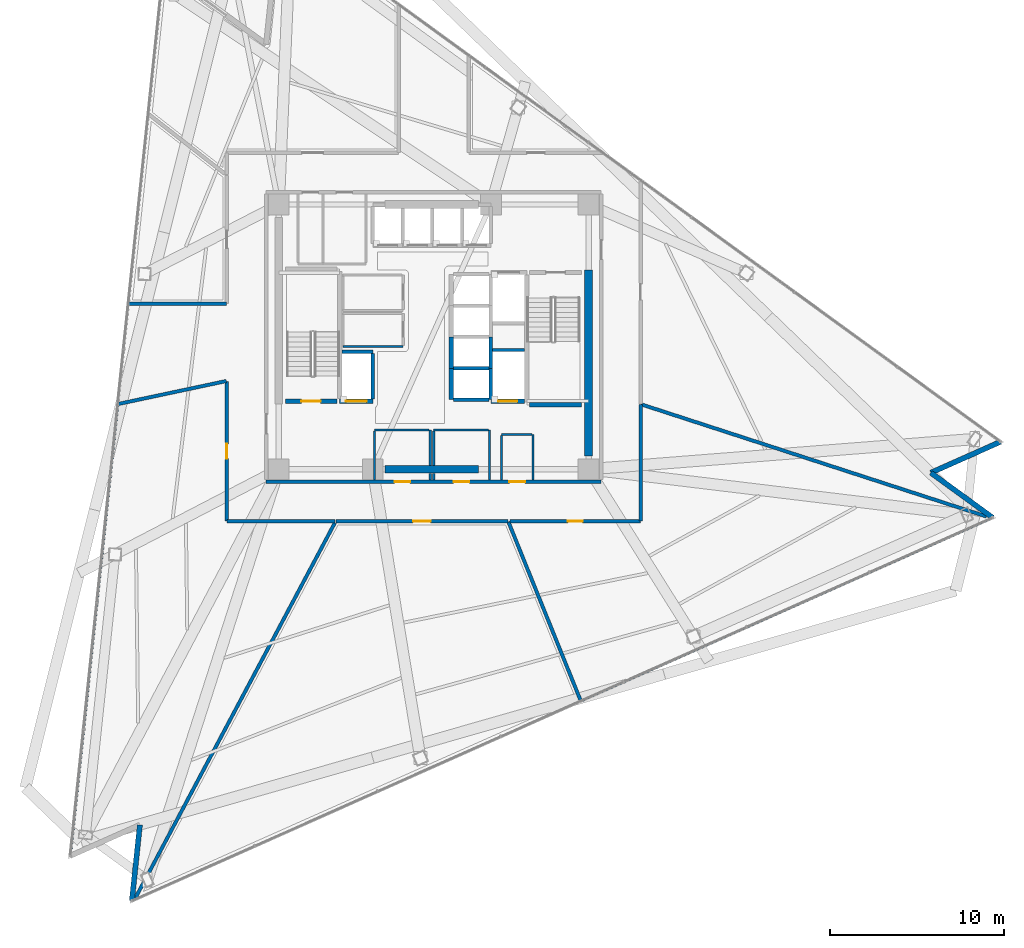
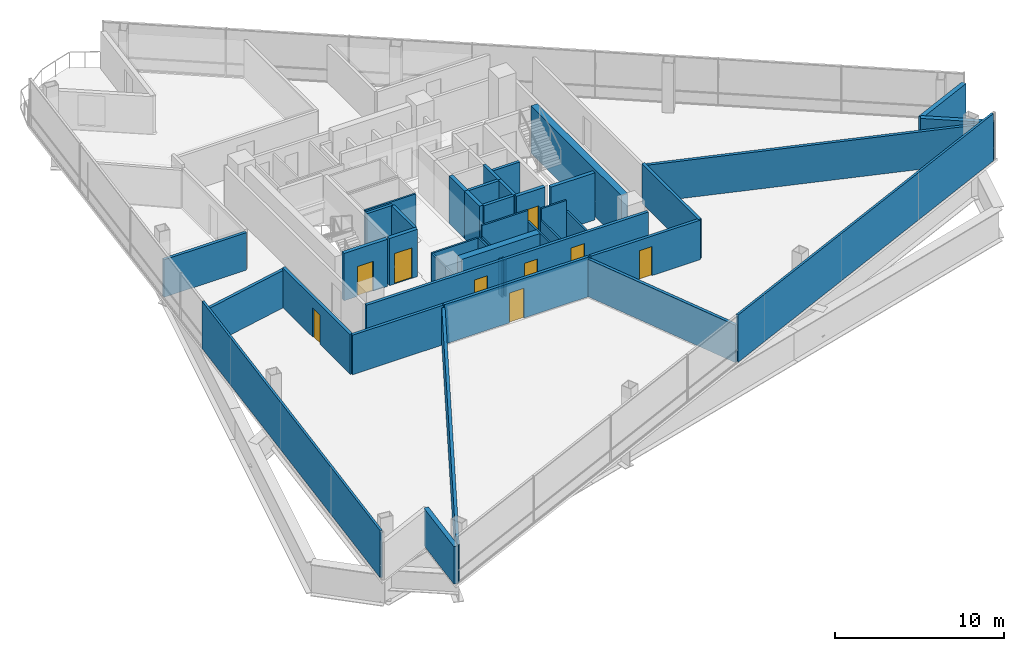
# One storey, part 11 of 17: 43 walls, 9 doors, 9 openings.
"""IFC4 building model written with IfcOpenShell, lengths in metres."""

from ifc_helpers import new_model, si_unit, direction, frame, frame_2d, origin, place, context, subcontext, project, spatial, rectangle, extrude, material, layer, layer_set, type_object, element, fill, save


model = new_model("IFC4")

# Units and contexts
model_context = context("Model", 3, precision=1e-05, world=origin(), true_north=direction((0.0, 1.0)))
body_context = subcontext(model_context, "Body", "Model", "MODEL_VIEW")
ifc_project = project(units=[si_unit("LENGTHUNIT", "METRE"), si_unit("AREAUNIT", "SQUARE_METRE"), si_unit("VOLUMEUNIT", "CUBIC_METRE"), si_unit("PLANEANGLEUNIT", "RADIAN"), si_unit("MASSUNIT", "GRAM", prefix="KILO")], contexts=[model_context])

# Site, building, storey
site_placement = place(None, origin())
site = spatial("IfcSite", under=ifc_project, at=site_placement, CompositionType="ELEMENT")
building_placement = place(site_placement, origin())
building = spatial("IfcBuilding", under=site, at=building_placement, Name="Tharavind Bronze Gate", CompositionType="ELEMENT")
storey_placement = place(building_placement, frame((0.0, 0.0, 112.449951171875)))
storey = spatial("IfcBuildingStorey", under=building, at=storey_placement, Name="L28", CompositionType="ELEMENT", Elevation=112.449951171875)

# Walls
ifc_material_1 = material(Name="Concrete C40/50", Category="concrete")
ifc_layer_1 = layer(ifc_material_1, 0.300048828125)
ifc_layer_set_1 = layer_set([ifc_layer_1], Name="Concrete C40/50")
wall_type_1 = type_object("IfcWallType", Name="EXTERIOR SPANDREL WALL 300", PredefinedType="STANDARD", material=ifc_layer_set_1)
for number, where, z_axis, x_axis, name in (
    (1, (-16.87744140625, -28.02978515625, 0.0), (0.0, 0.0, 1.0), (-0.10451359066, -0.99452345843, 0.0), "L28 notch cheek wall 2B"),
    (2, (32.099853515625, -10.3759765625, 0.0), (0.0, 0.0, 1.0), (-0.809018008275, 0.587783856777, 0.0), "L28 notch cheek wall 3A"),
    (3, (28.556396484375, -7.801513671875, 0.0), (0.0, 0.0, 1.0), (0.913542411385, 0.406743485013, 0.0), "L28 notch cheek wall 3B"),
):
    element("IfcWall", number, at=place(storey_placement, frame(where, z_axis=z_axis, x_axis=x_axis)), inside=storey, type_object=wall_type_1, Name=name, PredefinedType="STANDARD", context=body_context, shape_type="SweptSolid", body=[
        extrude(rectangle(XDim=4.3798828125, YDim=0.300048828125, at=frame_2d((2.18994140625, 0.0))), origin(), (0.0, 0.0, 1.0), 2.705078125),
    ])

# Wall, openings, doors
ifc_material_2 = material(Name="Aerated Concrete Block", Category="concrete")
ifc_layer_2 = layer(ifc_material_2, 0.199951171875)
ifc_layer_set_2 = layer_set([ifc_layer_2], Name="Aerated Concrete Block")
wall_type_2 = type_object("IfcWallType", Name="FIRE RATED PARTITION 200", PredefinedType="PARTITIONING", material=ifc_layer_set_2)
wall_1_placement = place(storey_placement, frame((-9.6201171875, -8.320068359375, 0.0), z_axis=(0.0, 0.0, 1.0), x_axis=(1.0, 0.0, 0.0)))
wall_1 = element("IfcWall", 4, at=wall_1_placement, inside=storey, type_object=wall_type_2, Name="L28 south core corridor wall", PredefinedType="PARTITIONING", context=body_context, shape_type="SweptSolid", body=[
    extrude(rectangle(XDim=19.240234375, YDim=0.199951171875, at=frame_2d((9.6201171875, 0.0))), origin(), (0.0, 0.0, 1.0), 2.85498046875),
])
opening_1_placement = place(wall_1_placement, frame((7.3701171875, 0.0, 0.0)))
opening_1 = element("IfcOpeningElement", 5, at=opening_1_placement, cuts=wall_1, Name="Opening ID07", PredefinedType="OPENING", context=body_context, shape_type="SweptSolid", body=[
    extrude(rectangle(XDim=0.89990234375, YDim=2.10009765625, at=frame_2d((0.449951171875, 1.050048828125))), frame((0.0, 0.11009765625, 0.0), z_axis=(0.0, -1.0, 0.0), x_axis=(1.0, 0.0, 0.0)), (0.0, 0.0, 1.0), 0.219951171875),
])
opening_2_placement = place(wall_1_placement, frame((10.77001953125, 0.0, 0.0)))
opening_2 = element("IfcOpeningElement", 6, at=opening_2_placement, cuts=wall_1, Name="Opening ID07", PredefinedType="OPENING", context=body_context, shape_type="SweptSolid", body=[
    extrude(rectangle(XDim=0.89990234375, YDim=2.10009765625, at=frame_2d((0.449951171875, 1.050048828125))), frame((0.0, 0.11009765625, 0.0), z_axis=(0.0, -1.0, 0.0), x_axis=(1.0, 0.0, 0.0)), (0.0, 0.0, 1.0), 0.219951171875),
])
opening_3_placement = place(wall_1_placement, frame((13.969970703125, 0.0, 0.0)))
opening_3 = element("IfcOpeningElement", 7, at=opening_3_placement, cuts=wall_1, Name="Opening ID07", PredefinedType="OPENING", context=body_context, shape_type="SweptSolid", body=[
    extrude(rectangle(XDim=0.89990234375, YDim=2.10009765625, at=frame_2d((0.449951171875, 1.050048828125))), frame((0.0, 0.11009765625, 0.0), z_axis=(0.0, -1.0, 0.0), x_axis=(1.0, 0.0, 0.0)), (0.0, 0.0, 1.0), 0.219951171875),
])
ifc_material_3 = material(Name="Galvanised Fire Steel", Category="steel")
door_type_1 = type_object("IfcDoorType", Name="PLANT AND RISER FIRE DOOR 900X2100", OperationType="SINGLE_SWING_LEFT", PredefinedType="DOOR", material=ifc_material_3)
door_1_placement = place(opening_1_placement, frame((0.89990234375, 0.0, 0.0), z_axis=(0.0, 0.0, 1.0), x_axis=(-1.0, 0.0, 0.0)))
door_1 = element("IfcDoor", 8, at=door_1_placement, inside=storey, type_object=door_type_1, Name="L28 Core Archive Store fire door", OperationType="SINGLE_SWING_LEFT", OverallHeight=2.10009765625, OverallWidth=0.89990234375, PredefinedType="DOOR", context=body_context, shape_type="SweptSolid", body=[
    extrude(rectangle(XDim=0.89990234375, YDim=2.10009765625, at=frame_2d((0.449951171875, 1.050048828125))), frame((0.0, 0.02490234375, 0.0), z_axis=(0.0, -1.0, 0.0), x_axis=(1.0, 0.0, 0.0)), (0.0, 0.0, 1.0), 0.050048828125),
])
fill(opening_1, door_1)
door_2_placement = place(opening_2_placement, frame((0.89990234375, 0.0, 0.0), z_axis=(0.0, 0.0, 1.0), x_axis=(-1.0, 0.0, 0.0)))
door_2 = element("IfcDoor", 9, at=door_2_placement, inside=storey, type_object=door_type_1, Name="L28 Core Server Room fire door", OperationType="SINGLE_SWING_LEFT", OverallHeight=2.10009765625, OverallWidth=0.89990234375, PredefinedType="DOOR", context=body_context, shape_type="SweptSolid", body=[
    extrude(rectangle(XDim=0.89990234375, YDim=2.10009765625, at=frame_2d((0.449951171875, 1.050048828125))), frame((0.0, 0.02490234375, 0.0), z_axis=(0.0, -1.0, 0.0), x_axis=(1.0, 0.0, 0.0)), (0.0, 0.0, 1.0), 0.050048828125),
])
fill(opening_2, door_2)
door_3_placement = place(opening_3_placement, frame((0.89990234375, 0.0, 0.0), z_axis=(0.0, 0.0, 1.0), x_axis=(-1.0, 0.0, 0.0)))
door_3 = element("IfcDoor", 10, at=door_3_placement, inside=storey, type_object=door_type_1, Name="L28 Janitor Store Cupboard fire door", OperationType="SINGLE_SWING_LEFT", OverallHeight=2.10009765625, OverallWidth=0.89990234375, PredefinedType="DOOR", context=body_context, shape_type="SweptSolid", body=[
    extrude(rectangle(XDim=0.89990234375, YDim=2.10009765625, at=frame_2d((0.449951171875, 1.050048828125))), frame((0.0, 0.02490234375, 0.0), z_axis=(0.0, -1.0, 0.0), x_axis=(1.0, 0.0, 0.0)), (0.0, 0.0, 1.0), 0.050048828125),
])
fill(opening_3, door_3)

# Wall
wall_2_placement = place(storey_placement, frame((-18.13330078125, -3.854248046875, 0.0), z_axis=(0.0, 0.0, 1.0), x_axis=(0.978148121703, 0.207909239835, 0.0)))
element("IfcWall", 11, at=wall_2_placement, inside=storey, type_object=wall_type_2, Name="L28 Public Restrooms Block partition", PredefinedType="PARTITIONING", context=body_context, shape_type="SweptSolid", body=[
    extrude(rectangle(XDim=6.362060546875, YDim=0.199951171875, at=frame_2d((3.18115234375, 0.0))), origin(), (0.0, 0.0, 1.0), 2.705078125),
])

# Wall, opening, door
wall_3_placement = place(storey_placement, frame((-11.8798828125, -2.555908203125, 0.0), z_axis=(0.0, 0.0, 1.0), x_axis=(0.0, -1.0, 0.0)))
wall_3 = element("IfcWall", 12, at=wall_3_placement, inside=storey, type_object=wall_type_2, Name="L28 Public Restrooms Block partition", PredefinedType="PARTITIONING", context=body_context, shape_type="SweptSolid", body=[
    extrude(rectangle(XDim=8.0234375, YDim=0.199951171875, at=frame_2d((4.01171875, 0.0))), origin(), (0.0, 0.0, 1.0), 2.85498046875),
])
opening_4_placement = place(wall_3_placement, frame((3.5869140625, 0.0, 0.0)))
opening_4 = element("IfcOpeningElement", 13, at=opening_4_placement, cuts=wall_3, Name="Opening ID06", PredefinedType="OPENING", context=body_context, shape_type="SweptSolid", body=[
    extrude(rectangle(XDim=0.85009765625, YDim=2.10009765625, at=frame_2d((0.425048828125, 1.050048828125))), frame((0.0, 0.11009765625, 0.0), z_axis=(0.0, -1.0, 0.0), x_axis=(1.0, 0.0, 0.0)), (0.0, 0.0, 1.0), 0.219951171875),
])
ifc_material_4 = material(Name="Moisture-Resistant Timber", Category="wood")
door_type_2 = type_object("IfcDoorType", Name="BATHROOM PRIVACY DOOR 850X2100", OperationType="SINGLE_SWING_RIGHT", PredefinedType="DOOR", material=ifc_material_4)
door_4_placement = place(opening_4_placement, origin())
door_4 = element("IfcDoor", 14, at=door_4_placement, inside=storey, type_object=door_type_2, Name="L28 Public Restrooms Block door", OperationType="SINGLE_SWING_RIGHT", OverallHeight=2.10009765625, OverallWidth=0.85009765625, PredefinedType="DOOR", context=body_context, shape_type="SweptSolid", body=[
    extrude(rectangle(XDim=0.85009765625, YDim=2.10009765625, at=frame_2d((0.425048828125, 1.050048828125))), frame((0.0, 0.02490234375, 0.0), z_axis=(0.0, -1.0, 0.0), x_axis=(1.0, 0.0, 0.0)), (0.0, 0.0, 1.0), 0.050048828125),
])
fill(opening_4, door_4)

# Walls
wall_4_placement = place(storey_placement, frame((-11.87939453125, -10.580078125, 0.0), z_axis=(0.0, 0.0, 1.0), x_axis=(1.0, 0.0, 0.0)))
element("IfcWall", 15, at=wall_4_placement, inside=storey, type_object=wall_type_2, Name="L28 Public Restrooms Block partition", PredefinedType="PARTITIONING", context=body_context, shape_type="SweptSolid", body=[
    extrude(rectangle(XDim=6.21240234375, YDim=0.199951171875, at=frame_2d((3.106201171875, 0.0))), origin(), (0.0, 0.0, 1.0), 2.85498046875),
])
wall_5_placement = place(storey_placement, frame((-5.681396484375, -10.68505859375, 0.0), z_axis=(0.0, 0.0, 1.0), x_axis=(-0.469469841629, -0.882948508012, 0.0)))
element("IfcWall", 16, at=wall_5_placement, inside=storey, type_object=wall_type_2, Name="L28 Public Restrooms Block partition", PredefinedType="PARTITIONING", context=body_context, shape_type="SweptSolid", body=[
    extrude(rectangle(XDim=24.47021484375, YDim=0.199951171875, at=frame_2d((12.235107421875, 0.0))), origin(), (0.0, 0.0, 1.0), 2.705078125),
])
wall_6_placement = place(storey_placement, frame((8.437255859375, -20.8828125, 0.0), z_axis=(0.0, 0.0, 1.0), x_axis=(-0.374607748829, 0.927183387749, 0.0)))
element("IfcWall", 17, at=wall_6_placement, inside=storey, type_object=wall_type_2, Name="L28 Public Restrooms Block partition", PredefinedType="PARTITIONING", context=body_context, shape_type="SweptSolid", body=[
    extrude(rectangle(XDim=11.07470703125, YDim=0.199951171875, at=frame_2d((5.537353515625, 0.0))), origin(), (0.0, 0.0, 1.0), 2.705078125),
])

# Wall, opening, door
wall_7_placement = place(storey_placement, frame((4.3876953125, -10.580078125, 0.0), z_axis=(0.0, 0.0, 1.0), x_axis=(1.0, 0.0, 0.0)))
wall_7 = element("IfcWall", 18, at=wall_7_placement, inside=storey, type_object=wall_type_2, Name="L28 Public Restrooms Block partition", PredefinedType="PARTITIONING", context=body_context, shape_type="SweptSolid", body=[
    extrude(rectangle(XDim=7.49169921875, YDim=0.199951171875, at=frame_2d((3.745849609375, 0.0))), origin(), (0.0, 0.0, 1.0), 2.85498046875),
])
opening_5_placement = place(wall_7_placement, frame((3.321044921875, 0.0, 0.0)))
opening_5 = element("IfcOpeningElement", 19, at=opening_5_placement, cuts=wall_7, Name="Opening ID06", PredefinedType="OPENING", context=body_context, shape_type="SweptSolid", body=[
    extrude(rectangle(XDim=0.85009765625, YDim=2.10009765625, at=frame_2d((0.425048828125, 1.050048828125))), frame((0.0, 0.11009765625, 0.0), z_axis=(0.0, -1.0, 0.0), x_axis=(1.0, 0.0, 0.0)), (0.0, 0.0, 1.0), 0.219951171875),
])
door_5_placement = place(opening_5_placement, origin())
door_5 = element("IfcDoor", 20, at=door_5_placement, inside=storey, type_object=door_type_2, Name="L28 Public Restrooms Block door", OperationType="SINGLE_SWING_RIGHT", OverallHeight=2.10009765625, OverallWidth=0.85009765625, PredefinedType="DOOR", context=body_context, shape_type="SweptSolid", body=[
    extrude(rectangle(XDim=0.85009765625, YDim=2.10009765625, at=frame_2d((0.425048828125, 1.050048828125))), frame((0.0, 0.02490234375, 0.0), z_axis=(0.0, -1.0, 0.0), x_axis=(1.0, 0.0, 0.0)), (0.0, 0.0, 1.0), 0.050048828125),
])
fill(opening_5, door_5)

# Walls
wall_8_placement = place(storey_placement, frame((11.8798828125, -10.579345703125, 0.0), z_axis=(0.0, 0.0, 1.0), x_axis=(0.0, 1.0, 0.0)))
element("IfcWall", 21, at=wall_8_placement, inside=storey, type_object=wall_type_2, Name="L28 Public Restrooms Block partition", PredefinedType="PARTITIONING", context=body_context, shape_type="SweptSolid", body=[
    extrude(rectangle(XDim=6.684814453125, YDim=0.199951171875, at=frame_2d((3.34228515625, 0.0))), origin(), (0.0, 0.0, 1.0), 2.85498046875),
])
wall_9_placement = place(storey_placement, frame((11.91259765625, -3.87060546875, 0.0), z_axis=(0.0, 0.0, 1.0), x_axis=(0.951054616976, -0.309022839818, 0.0)))
element("IfcWall", 22, at=wall_9_placement, inside=storey, type_object=wall_type_2, Name="L28 Public Restrooms Block partition", PredefinedType="PARTITIONING", context=body_context, shape_type="SweptSolid", body=[
    extrude(rectangle(XDim=20.86572265625, YDim=0.199951171875, at=frame_2d((10.432861328125, 0.0))), origin(), (0.0, 0.0, 1.0), 2.705078125),
])
wall_10_placement = place(storey_placement, frame((-11.905029296875, 1.89990234375, 0.0), z_axis=(0.0, 0.0, 1.0), x_axis=(-1.0, 0.0, 0.0)))
element("IfcWall", 23, at=wall_10_placement, inside=storey, type_object=wall_type_2, Name="L28 Acoustic Focus Office partition", PredefinedType="PARTITIONING", context=body_context, shape_type="SweptSolid", body=[
    extrude(rectangle(XDim=5.640869140625, YDim=0.199951171875, at=frame_2d((2.8203125, 0.0))), origin(), (0.0, 0.0, 1.0), 2.705078125),
])

# Wall, opening, door
wall_11_placement = place(storey_placement, frame((-5.610595703125, -10.580078125, 0.0), z_axis=(0.0, 0.0, 1.0), x_axis=(1.0, 0.0, 0.0)))
wall_11 = element("IfcWall", 24, at=wall_11_placement, inside=storey, type_object=wall_type_2, Name="L28 Creative Open Office partition", PredefinedType="PARTITIONING", context=body_context, shape_type="SweptSolid", body=[
    extrude(rectangle(XDim=9.868408203125, YDim=0.199951171875, at=frame_2d((4.93408203125, 0.0))), origin(), (0.0, 0.0, 1.0), 2.85498046875),
])
opening_6_placement = place(wall_11_placement, frame((4.43408203125, 0.0, 0.0)))
opening_6 = element("IfcOpeningElement", 25, at=opening_6_placement, cuts=wall_11, Name="Opening ID04", PredefinedType="OPENING", context=body_context, shape_type="SweptSolid", body=[
    extrude(rectangle(XDim=1.0, YDim=2.14990234375, at=frame_2d((0.5, 1.074951171875))), frame((0.0, 0.11009765625, 0.0), z_axis=(0.0, -1.0, 0.0), x_axis=(1.0, 0.0, 0.0)), (0.0, 0.0, 1.0), 0.219951171875),
])
ifc_material_5 = material(Name="Bronze Framed Acoustic Timber", Category="wood")
door_type_3 = type_object("IfcDoorType", Name="OFFICE TENANCY DOOR 1000X2150", OperationType="SINGLE_SWING_RIGHT", PredefinedType="DOOR", material=ifc_material_5)
door_6_placement = place(opening_6_placement, origin())
door_6 = element("IfcDoor", 26, at=door_6_placement, inside=storey, type_object=door_type_3, Name="L28 Creative Open Office door", OperationType="SINGLE_SWING_RIGHT", OverallHeight=2.14990234375, OverallWidth=1.0, PredefinedType="DOOR", context=body_context, shape_type="SweptSolid", body=[
    extrude(rectangle(XDim=1.0, YDim=2.14990234375, at=frame_2d((0.5, 1.074951171875))), frame((0.0, 0.02490234375, 0.0), z_axis=(0.0, -1.0, 0.0), x_axis=(1.0, 0.0, 0.0)), (0.0, 0.0, 1.0), 0.050048828125),
])
fill(opening_6, door_6)

# Walls
ifc_material_6 = material(Name="Metal Stud Gypsum Partition", Category="gypsum")
ifc_layer_3 = layer(ifc_material_6, 0.1201171875)
ifc_layer_set_3 = layer_set([ifc_layer_3], Name="Metal Stud Gypsum Partition")
wall_type_3 = type_object("IfcWallType", Name="INTERIOR PARTITION WALL 120", PredefinedType="PARTITIONING", material=ifc_layer_set_3)
wall_12_placement = place(storey_placement, frame((-5.219970703125, -0.550048828125, 0.0), z_axis=(0.0, 0.0, 1.0), x_axis=(1.0, 0.0, 0.0)))
element("IfcWall", 27, at=wall_12_placement, inside=storey, type_object=wall_type_3, Name="L28 Electrical Switch Room partition 1", PredefinedType="PARTITIONING", context=body_context, shape_type="SweptSolid", body=[
    extrude(rectangle(XDim=3.469970703125, YDim=0.1201171875, at=frame_2d((1.73486328125, 0.0))), origin(), (0.0, 0.0, 1.0), 3.41015625),
])
wall_13_placement = place(storey_placement, frame((-0.199951171875, -8.215087890625, 0.0), z_axis=(0.0, 0.0, 1.0), x_axis=(0.0, 1.0, 0.0)))
element("IfcWall", 28, at=wall_13_placement, inside=storey, type_object=wall_type_3, Name="L28 Core Archive Store partition 2", PredefinedType="PARTITIONING", context=body_context, shape_type="SweptSolid", body=[
    extrude(rectangle(XDim=0.385009765625, YDim=0.1201171875, at=frame_2d((0.1923828125, 0.0))), origin(), (0.0, 0.0, 1.0), 2.60498046875),
])
wall_14_placement = place(storey_placement, frame((-0.199951171875, -7.3701171875, 0.0), z_axis=(0.0, 0.0, 1.0), x_axis=(0.0, 1.0, 0.0)))
element("IfcWall", 29, at=wall_14_placement, inside=storey, type_object=wall_type_3, Name="L28 Core Archive Store partition 2", PredefinedType="PARTITIONING", context=body_context, shape_type="SweptSolid", body=[
    extrude(rectangle(XDim=2.02001953125, YDim=0.1201171875, at=frame_2d((1.010009765625, 0.0))), origin(), (0.0, 0.0, 1.0), 2.60498046875),
])
wall_15_placement = place(storey_placement, frame((-0.264892578125, -5.35009765625, 0.0), z_axis=(0.0, 0.0, 1.0), x_axis=(-1.0, 0.0, 0.0)))
element("IfcWall", 30, at=wall_15_placement, inside=storey, type_object=wall_type_3, Name="L28 Core Archive Store partition 3", PredefinedType="PARTITIONING", context=body_context, shape_type="SweptSolid", body=[
    extrude(rectangle(XDim=3.135009765625, YDim=0.1201171875, at=frame_2d((1.5673828125, 0.0))), origin(), (0.0, 0.0, 1.0), 2.60498046875),
])
wall_16_placement = place(storey_placement, frame((-3.39990234375, -5.4150390625, 0.0), z_axis=(0.0, 0.0, 1.0), x_axis=(0.0, -1.0, 0.0)))
element("IfcWall", 31, at=wall_16_placement, inside=storey, type_object=wall_type_3, Name="L28 Core Archive Store partition 4", PredefinedType="PARTITIONING", context=body_context, shape_type="SweptSolid", body=[
    extrude(rectangle(XDim=2.800048828125, YDim=0.1201171875, at=frame_2d((1.39990234375, 0.0))), origin(), (0.0, 0.0, 1.0), 2.60498046875),
])
wall_17_placement = place(storey_placement, frame((3.199951171875, -8.215087890625, 0.0), z_axis=(0.0, 0.0, 1.0), x_axis=(0.0, 1.0, 0.0)))
element("IfcWall", 32, at=wall_17_placement, inside=storey, type_object=wall_type_3, Name="L28 Core Server Room partition 2", PredefinedType="PARTITIONING", context=body_context, shape_type="SweptSolid", body=[
    extrude(rectangle(XDim=2.864990234375, YDim=0.1201171875, at=frame_2d((1.4326171875, 0.0))), origin(), (0.0, 0.0, 1.0), 2.60498046875),
])
wall_18_placement = place(storey_placement, frame((3.135009765625, -5.35009765625, 0.0), z_axis=(0.0, 0.0, 1.0), x_axis=(-1.0, 0.0, 0.0)))
element("IfcWall", 33, at=wall_18_placement, inside=storey, type_object=wall_type_3, Name="L28 Core Server Room partition 3", PredefinedType="PARTITIONING", context=body_context, shape_type="SweptSolid", body=[
    extrude(rectangle(XDim=3.135009765625, YDim=0.1201171875, at=frame_2d((1.5673828125, 0.0))), origin(), (0.0, 0.0, 1.0), 3.41015625),
])
wall_19_placement = place(storey_placement, frame((0.0, -5.4150390625, 0.0), z_axis=(0.0, 0.0, 1.0), x_axis=(0.0, -1.0, 0.0)))
element("IfcWall", 34, at=wall_19_placement, inside=storey, type_object=wall_type_3, Name="L28 Core Server Room partition 4", PredefinedType="PARTITIONING", context=body_context, shape_type="SweptSolid", body=[
    extrude(rectangle(XDim=1.955078125, YDim=0.1201171875, at=frame_2d((0.9775390625, 0.0))), origin(), (0.0, 0.0, 1.0), 2.60498046875),
])
wall_20_placement = place(storey_placement, frame((0.0, -7.830078125, 0.0), z_axis=(0.0, 0.0, 1.0), x_axis=(0.0, -1.0, 0.0)))
element("IfcWall", 35, at=wall_20_placement, inside=storey, type_object=wall_type_3, Name="L28 Core Server Room partition 4", PredefinedType="PARTITIONING", context=body_context, shape_type="SweptSolid", body=[
    extrude(rectangle(XDim=0.385009765625, YDim=0.1201171875, at=frame_2d((0.1923828125, 0.0))), origin(), (0.0, 0.0, 1.0), 2.60498046875),
])
wall_21_placement = place(storey_placement, frame((5.699951171875, -8.215087890625, 0.0), z_axis=(0.0, 0.0, 1.0), x_axis=(0.0, 1.0, 0.0)))
element("IfcWall", 36, at=wall_21_placement, inside=storey, type_object=wall_type_3, Name="L28 Janitor Store Cupboard partition 2", PredefinedType="PARTITIONING", context=body_context, shape_type="SweptSolid", body=[
    extrude(rectangle(XDim=2.614990234375, YDim=0.1201171875, at=frame_2d((1.3076171875, 0.0))), origin(), (0.0, 0.0, 1.0), 2.60498046875),
])
wall_22_placement = place(storey_placement, frame((5.635009765625, -5.60009765625, 0.0), z_axis=(0.0, 0.0, 1.0), x_axis=(-1.0, 0.0, 0.0)))
element("IfcWall", 37, at=wall_22_placement, inside=storey, type_object=wall_type_3, Name="L28 Janitor Store Cupboard partition 3", PredefinedType="PARTITIONING", context=body_context, shape_type="SweptSolid", body=[
    extrude(rectangle(XDim=1.735107421875, YDim=0.1201171875, at=frame_2d((0.86767578125, 0.0))), origin(), (0.0, 0.0, 1.0), 3.41015625),
])
wall_23_placement = place(storey_placement, frame((3.89990234375, -5.6650390625, 0.0), z_axis=(0.0, 0.0, 1.0), x_axis=(0.0, -1.0, 0.0)))
element("IfcWall", 38, at=wall_23_placement, inside=storey, type_object=wall_type_3, Name="L28 Janitor Store Cupboard partition 4", PredefinedType="PARTITIONING", context=body_context, shape_type="SweptSolid", body=[
    extrude(rectangle(XDim=2.550048828125, YDim=0.1201171875, at=frame_2d((1.27490234375, 0.0))), origin(), (0.0, 0.0, 1.0), 2.60498046875),
])
ifc_material_7 = material(Name="Twin Stud Acoustic Gypsum", Category="gypsum")
ifc_layer_4 = layer(ifc_material_7, 0.14990234375)
ifc_layer_set_4 = layer_set([ifc_layer_4], Name="Twin Stud Acoustic Gypsum")
wall_type_4 = type_object("IfcWallType", Name="INTERIOR PARTITION WALL 150", PredefinedType="PARTITIONING", material=ifc_layer_set_4)
wall_24_placement = place(storey_placement, frame((-20.860107421875, -29.63330078125, 0.0), z_axis=(0.0, 0.0, 1.0), x_axis=(0.104532174784, 0.994521505265, 0.0)))
element("IfcWall", 39, at=wall_24_placement, inside=storey, type_object=wall_type_4, Name="L28 Public Restrooms Block partition", PredefinedType="PARTITIONING", context=body_context, shape_type="SweptSolid", body=[
    extrude(rectangle(XDim=25.89892578125, YDim=0.14990234375, at=frame_2d((12.949462890625, 0.0))), origin(), (0.0, 0.0, 1.0), 3.41015625),
])
wall_25_placement = place(storey_placement, frame((31.936279296875, -10.44873046875, 0.0), z_axis=(0.0, 0.0, 1.0), x_axis=(-0.913546005366, -0.406735412866, 0.0)))
element("IfcWall", 40, at=wall_25_placement, inside=storey, type_object=wall_type_4, Name="L28 Public Restrooms Block partition", PredefinedType="PARTITIONING", context=body_context, shape_type="SweptSolid", body=[
    extrude(rectangle(XDim=25.686279296875, YDim=0.14990234375, at=frame_2d((12.84326171875, 0.0))), origin(), (0.0, 0.0, 1.0), 3.41015625),
])

# Wall, opening, door
ifc_material_8 = material(Name="Concrete C50/60", Category="concrete")
ifc_layer_5 = layer(ifc_material_8, 0.25)
ifc_layer_set_5 = layer_set([ifc_layer_5], Name="Concrete C50/60")
wall_type_5 = type_object("IfcWallType", Name="RC CORE SHEAR WALL 250", PredefinedType="SHEAR", material=ifc_layer_set_5)
wall_26_placement = place(storey_placement, frame((-8.5, -3.699951171875, 0.0), z_axis=(0.0, 0.0, 1.0), x_axis=(1.0, 0.0, 0.0)))
wall_26 = element("IfcWall", 41, at=wall_26_placement, inside=storey, type_object=wall_type_5, Name="L28 ST1 shaft south wall", PredefinedType="SHEAR", context=body_context, shape_type="SweptSolid", body=[
    extrude(rectangle(XDim=2.949951171875, YDim=0.25, at=frame_2d((1.47509765625, 0.0))), origin(), (0.0, 0.0, 1.0), 3.41015625),
])
opening_7_placement = place(wall_26_placement, frame((0.89990234375, 0.0, 0.0)))
opening_7 = element("IfcOpeningElement", 42, at=opening_7_placement, cuts=wall_26, Name="Opening ID01", PredefinedType="OPENING", context=body_context, shape_type="SweptSolid", body=[
    extrude(rectangle(XDim=1.10009765625, YDim=2.14990234375, at=frame_2d((0.550048828125, 1.074951171875))), frame((0.0, 0.135, 0.0), z_axis=(0.0, -1.0, 0.0), x_axis=(1.0, 0.0, 0.0)), (0.0, 0.0, 1.0), 0.27),
])
ifc_material_9 = material(Name="Fire-Rated Steel", Category="steel")
door_type_4 = type_object("IfcDoorType", Name="STAIR CORE FIRE DOOR 1100X2150", OperationType="SINGLE_SWING_LEFT", PredefinedType="DOOR", material=ifc_material_9)
door_7_placement = place(opening_7_placement, origin())
door_7 = element("IfcDoor", 43, at=door_7_placement, inside=storey, type_object=door_type_4, Name="L28 exit stair ST1 fire door", OperationType="SINGLE_SWING_LEFT", OverallHeight=2.14990234375, OverallWidth=1.10009765625, PredefinedType="DOOR", context=body_context, shape_type="SweptSolid", body=[
    extrude(rectangle(XDim=1.10009765625, YDim=2.14990234375, at=frame_2d((0.550048828125, 1.074951171875))), frame((0.0, 0.02490234375, 0.0), z_axis=(0.0, -1.0, 0.0), x_axis=(1.0, 0.0, 0.0)), (0.0, 0.0, 1.0), 0.050048828125),
])
fill(opening_7, door_7)

# Walls
wall_27_placement = place(storey_placement, frame((5.5, -3.89990234375, 0.0), z_axis=(0.0, 0.0, 1.0), x_axis=(1.0, 0.0, 0.0)))
element("IfcWall", 44, at=wall_27_placement, inside=storey, type_object=wall_type_5, Name="L28 ST2 shaft south wall", PredefinedType="SHEAR", context=body_context, shape_type="SweptSolid", body=[
    extrude(rectangle(XDim=3.0, YDim=0.25, at=frame_2d((1.5, 0.0))), origin(), (0.0, 0.0, 1.0), 3.41015625),
])
for number, where, z_axis, x_axis, name in (
    (45, (1.0, -3.60009765625, 0.0), (0.0, 0.0, 1.0), (0.0, 1.0, 0.0), "L28 lift PL9 shaft front wall"),
    (46, (1.0, -1.800048828125, 0.0), (0.0, 0.0, 1.0), (0.0, 1.0, 0.0), "L28 lift PL10 shaft front wall"),
):
    element("IfcWall", number, at=place(storey_placement, frame(where, z_axis=z_axis, x_axis=x_axis)), inside=storey, type_object=wall_type_5, Name=name, PredefinedType="SHEAR", context=body_context, shape_type="SweptSolid", body=[
        extrude(rectangle(XDim=1.800048828125, YDim=0.25, at=frame_2d((0.89990234375, 0.0))), origin(), (0.0, 0.0, 1.0), 3.41015625),
    ])

# Wall, opening, door
wall_28_placement = place(storey_placement, frame((-5.39990234375, -3.699951171875, 0.0), z_axis=(0.0, 0.0, 1.0), x_axis=(1.0, 0.0, 0.0)))
wall_28 = element("IfcWall", 47, at=wall_28_placement, inside=storey, type_object=wall_type_5, Name="L28 lift FFL1 shaft front wall", PredefinedType="SHEAR", context=body_context, shape_type="SweptSolid", body=[
    extrude(rectangle(XDim=1.89990234375, YDim=0.25, at=frame_2d((0.949951171875, 0.0))), origin(), (0.0, 0.0, 1.0), 3.41015625),
])
opening_8_placement = place(wall_28_placement, frame((0.35009765625, 0.0, 0.0)))
opening_8 = element("IfcOpeningElement", 48, at=opening_8_placement, cuts=wall_28, Name="Opening LD02", PredefinedType="OPENING", context=body_context, shape_type="SweptSolid", body=[
    extrude(rectangle(XDim=1.199951171875, YDim=2.199951171875, at=frame_2d((0.60009765625, 1.10009765625))), frame((0.0, 0.135, 0.0), z_axis=(0.0, -1.0, 0.0), x_axis=(1.0, 0.0, 0.0)), (0.0, 0.0, 1.0), 0.27),
])
ifc_material_10 = material(Name="Brushed Stainless Steel", Category="steel")
door_type_5 = type_object("IfcDoorType", Name="FIREFIGHTING LIFT LANDING DOOR 1200X2200", OperationType="SLIDING_TO_RIGHT", PredefinedType="DOOR", material=ifc_material_10)
door_8_placement = place(opening_8_placement, origin())
door_8 = element("IfcDoor", 49, at=door_8_placement, inside=storey, type_object=door_type_5, Name="L28 lift FFL1 sliding landing door", OperationType="SLIDING_TO_RIGHT", OverallHeight=2.199951171875, OverallWidth=1.199951171875, PredefinedType="DOOR", context=body_context, shape_type="SweptSolid", body=[
    extrude(rectangle(XDim=1.199951171875, YDim=2.199951171875, at=frame_2d((0.60009765625, 1.10009765625))), frame((0.0, 0.02490234375, 0.0), z_axis=(0.0, -1.0, 0.0), x_axis=(1.0, 0.0, 0.0)), (0.0, 0.0, 1.0), 0.050048828125),
])
fill(opening_8, door_8)

wall_29_placement = place(storey_placement, frame((3.280029296875, -3.699951171875, 0.0), z_axis=(0.0, 0.0, 1.0), x_axis=(1.0, 0.0, 0.0)))
wall_29 = element("IfcWall", 50, at=wall_29_placement, inside=storey, type_object=wall_type_5, Name="L28 lift SVL1 shaft front wall", PredefinedType="SHEAR", context=body_context, shape_type="SweptSolid", body=[
    extrude(rectangle(XDim=1.93994140625, YDim=0.25, at=frame_2d((0.969970703125, 0.0))), origin(), (0.0, 0.0, 1.0), 3.41015625),
])
opening_9_placement = place(wall_29_placement, frame((0.419921875, 0.0, 0.0)))
opening_9 = element("IfcOpeningElement", 51, at=opening_9_placement, cuts=wall_29, Name="Opening LD01", PredefinedType="OPENING", context=body_context, shape_type="SweptSolid", body=[
    extrude(rectangle(XDim=1.10009765625, YDim=2.199951171875, at=frame_2d((0.550048828125, 1.10009765625))), frame((0.0, 0.135, 0.0), z_axis=(0.0, -1.0, 0.0), x_axis=(1.0, 0.0, 0.0)), (0.0, 0.0, 1.0), 0.27),
])
ifc_material_11 = material(Name="Brushed Bronze Stainless Steel", Category="steel")
door_type_6 = type_object("IfcDoorType", Name="LIFT LANDING SLIDING DOOR 1100X2200", OperationType="SLIDING_TO_LEFT", PredefinedType="DOOR", material=ifc_material_11)
door_9_placement = place(opening_9_placement, origin())
door_9 = element("IfcDoor", 52, at=door_9_placement, inside=storey, type_object=door_type_6, Name="L28 lift SVL1 sliding landing door", OperationType="SLIDING_TO_LEFT", OverallHeight=2.199951171875, OverallWidth=1.10009765625, PredefinedType="DOOR", context=body_context, shape_type="SweptSolid", body=[
    extrude(rectangle(XDim=1.10009765625, YDim=2.199951171875, at=frame_2d((0.550048828125, 1.10009765625))), frame((0.0, 0.02490234375, 0.0), z_axis=(0.0, -1.0, 0.0), x_axis=(1.0, 0.0, 0.0)), (0.0, 0.0, 1.0), 0.050048828125),
])
fill(opening_9, door_9)

# Walls
ifc_material_12 = material(Name="Concrete C60/75", Category="concrete")
ifc_layer_6 = layer(ifc_material_12, 0.449951171875)
ifc_layer_set_6 = layer_set([ifc_layer_6], Name="Concrete C60/75")
wall_type_6 = type_object("IfcWallType", Name="RC CORE SHEAR WALL 450", PredefinedType="SHEAR", material=ifc_layer_set_6)
wall_30_placement = place(storey_placement, frame((-2.800048828125, -7.60009765625, 0.0), z_axis=(0.0, 0.0, 1.0), x_axis=(1.0, 0.0, 0.0)))
element("IfcWall", 53, at=wall_30_placement, inside=storey, type_object=wall_type_6, Name="L28 south core shear wall", PredefinedType="SHEAR", context=body_context, shape_type="SweptSolid", body=[
    extrude(rectangle(XDim=5.380126953125, YDim=0.449951171875, at=frame_2d((2.68994140625, 0.0))), origin(), (0.0, 0.0, 1.0), 3.41015625),
])
wall_31_placement = place(storey_placement, frame((8.89990234375, -6.85009765625, 0.0), z_axis=(0.0, 0.0, 1.0), x_axis=(0.0, 1.0, 0.0)))
element("IfcWall", 54, at=wall_31_placement, inside=storey, type_object=wall_type_6, Name="L28 east core shear wall", PredefinedType="SHEAR", context=body_context, shape_type="SweptSolid", body=[
    extrude(rectangle(XDim=10.7001953125, YDim=0.449951171875, at=frame_2d((5.35009765625, 0.0))), origin(), (0.0, 0.0, 1.0), 3.41015625),
])
ifc_layer_7 = layer(ifc_material_1, 0.199951171875)
ifc_layer_set_7 = layer_set([ifc_layer_7], Name="Concrete C40/50")
wall_type_7 = type_object("IfcWallType", Name="SHAFT ENCLOSURE WALL 200", PredefinedType="PARTITIONING", material=ifc_layer_set_7)
wall_32_placement = place(storey_placement, frame((3.280029296875, -3.60009765625, 0.0), z_axis=(0.0, 0.0, 1.0), x_axis=(0.0, 1.0, 0.0)))
element("IfcWall", 55, at=wall_32_placement, inside=storey, type_object=wall_type_7, Name="L28 lift PL9 shaft E enclosure wall", PredefinedType="PARTITIONING", context=body_context, shape_type="SweptSolid", body=[
    extrude(rectangle(XDim=1.800048828125, YDim=0.199951171875, at=frame_2d((0.89990234375, 0.0))), origin(), (0.0, 0.0, 1.0), 3.41015625),
])
for number, where, z_axis, x_axis, name in (
    (56, (1.1298828125, -3.60009765625, 0.0), (0.0, 0.0, 1.0), (1.0, 0.0, 0.0), "L28 lift PL9 shaft S enclosure wall"),
    (57, (1.1298828125, -1.800048828125, 0.0), (0.0, 0.0, 1.0), (1.0, 0.0, 0.0), "L28 lift PL9 shaft N enclosure wall"),
):
    element("IfcWall", number, at=place(storey_placement, frame(where, z_axis=z_axis, x_axis=x_axis)), inside=storey, type_object=wall_type_7, Name=name, PredefinedType="PARTITIONING", context=body_context, shape_type="SweptSolid", body=[
        extrude(rectangle(XDim=2.045166015625, YDim=0.199951171875, at=frame_2d((1.0224609375, 0.0))), origin(), (0.0, 0.0, 1.0), 3.41015625),
    ])
wall_33_placement = place(storey_placement, frame((3.280029296875, -1.800048828125, 0.0), z_axis=(0.0, 0.0, 1.0), x_axis=(0.0, 1.0, 0.0)))
element("IfcWall", 58, at=wall_33_placement, inside=storey, type_object=wall_type_7, Name="L28 lift PL10 shaft E enclosure wall", PredefinedType="PARTITIONING", context=body_context, shape_type="SweptSolid", body=[
    extrude(rectangle(XDim=1.800048828125, YDim=0.199951171875, at=frame_2d((0.89990234375, 0.0))), origin(), (0.0, 0.0, 1.0), 3.41015625),
])
wall_34_placement = place(storey_placement, frame((-5.27001953125, -0.85009765625, 0.0), z_axis=(0.0, 0.0, 1.0), x_axis=(1.0, 0.0, 0.0)))
element("IfcWall", 59, at=wall_34_placement, inside=storey, type_object=wall_type_7, Name="L28 lift FFL1 shaft N enclosure wall", PredefinedType="PARTITIONING", context=body_context, shape_type="SweptSolid", body=[
    extrude(rectangle(XDim=1.77001953125, YDim=0.199951171875, at=frame_2d((0.885009765625, 0.0))), origin(), (0.0, 0.0, 1.0), 3.41015625),
])
wall_35_placement = place(storey_placement, frame((-3.5, -3.570068359375, 0.0), z_axis=(0.0, 0.0, 1.0), x_axis=(0.0, 1.0, 0.0)))
element("IfcWall", 60, at=wall_35_placement, inside=storey, type_object=wall_type_7, Name="L28 lift FFL1 shaft E enclosure wall", PredefinedType="PARTITIONING", context=body_context, shape_type="SweptSolid", body=[
    extrude(rectangle(XDim=2.614990234375, YDim=0.199951171875, at=frame_2d((1.3076171875, 0.0))), origin(), (0.0, 0.0, 1.0), 3.41015625),
])
wall_36_placement = place(storey_placement, frame((3.385009765625, -0.75, 0.0), z_axis=(0.0, 0.0, 1.0), x_axis=(1.0, 0.0, 0.0)))
element("IfcWall", 61, at=wall_36_placement, inside=storey, type_object=wall_type_7, Name="L28 lift SVL1 shaft N enclosure wall", PredefinedType="PARTITIONING", context=body_context, shape_type="SweptSolid", body=[
    extrude(rectangle(XDim=1.8349609375, YDim=0.199951171875, at=frame_2d((0.91748046875, 0.0))), origin(), (0.0, 0.0, 1.0), 3.41015625),
])

save(model, "model.ifc")
